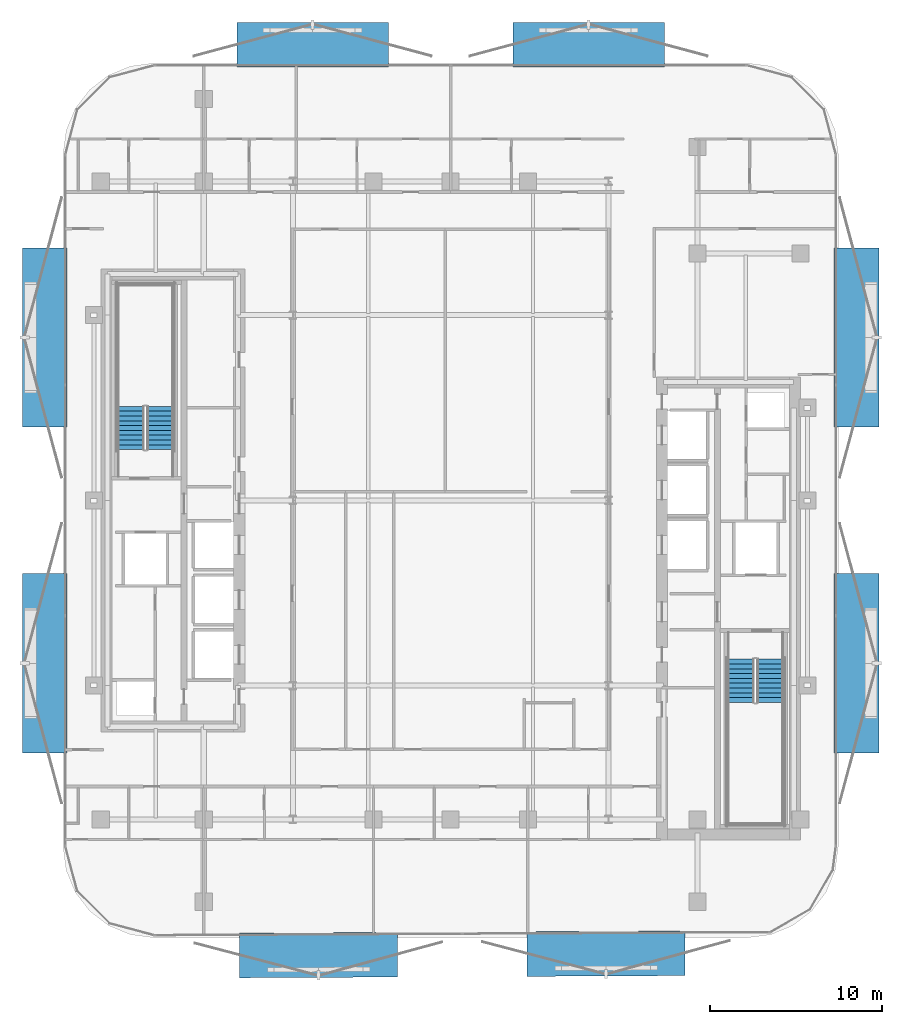
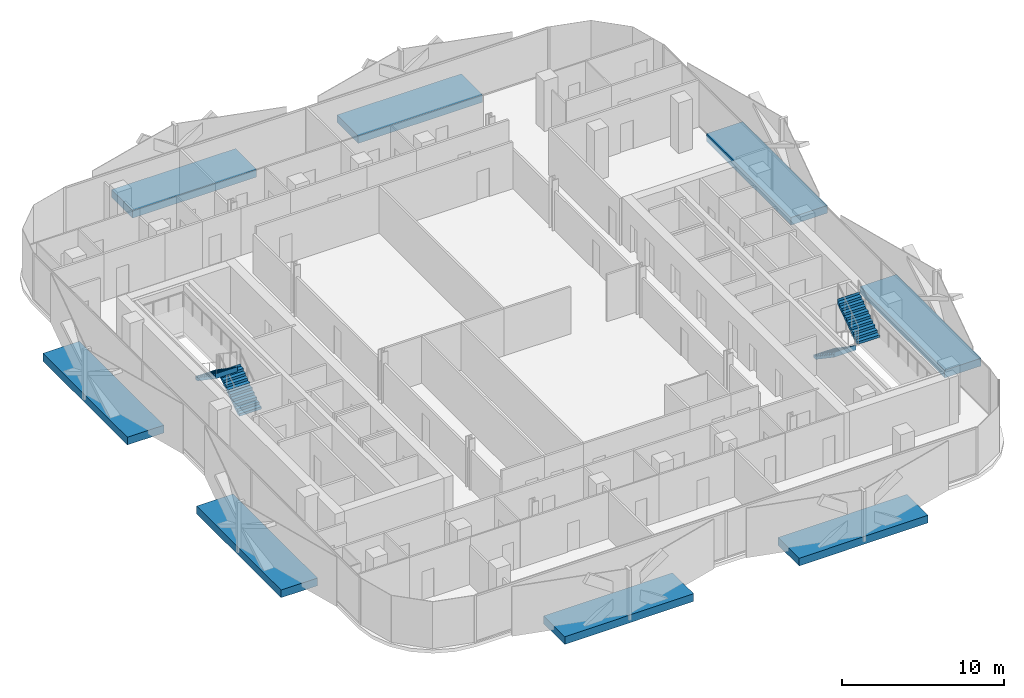
# One storey, part 8 of 17: 8 discrete accessories, 4 stair flights, 2 elements without a shape of their own.
"""IFC4 building model written with IfcOpenShell, lengths in metres."""

from ifc_helpers import new_model, si_unit, direction, frame, origin, origin_2d, place, context, subcontext, project, spatial, polyline, rectangle, outline, extrude, material, layer, layer_set, type_object, element, aggregate, save


model = new_model("IFC4")

# Units and contexts
model_context = context("Model", 3, precision=1e-05, world=origin(), true_north=direction((0.0, 1.0)))
body_context = subcontext(model_context, "Body", "Model", "MODEL_VIEW")
ifc_project = project(units=[si_unit("LENGTHUNIT", "METRE"), si_unit("AREAUNIT", "SQUARE_METRE"), si_unit("VOLUMEUNIT", "CUBIC_METRE"), si_unit("PLANEANGLEUNIT", "RADIAN"), si_unit("MASSUNIT", "GRAM", prefix="KILO")], contexts=[model_context])

# Site, building, storey
site_placement = place(None, origin())
site = spatial("IfcSite", under=ifc_project, at=site_placement, CompositionType="ELEMENT")
building_placement = place(site_placement, origin())
building = spatial("IfcBuilding", under=site, at=building_placement, Name="Khairoan Windgate Tower", CompositionType="ELEMENT")
storey_placement = place(building_placement, frame((0.0, 0.0, 176.39990234375)))
storey = spatial("IfcBuildingStorey", under=building, at=storey_placement, Name="L40", CompositionType="ELEMENT", Elevation=176.39990234375)

# Stair, stair flights
ifc_material_1 = material(Name="Concrete C40/50", Category="concrete")
stair_type = type_object("IfcStairType", Name="Tower Core Dog-Leg Stair ST-T1 1560mm", PredefinedType="HALF_TURN_STAIR", material=ifc_material_1)
stair_1_placement = place(storey_placement, origin())
stair_1 = element("IfcStair", 1, at=stair_1_placement, inside=storey, type_object=stair_type, Name="L40 Stair ST1", PredefinedType="HALF_TURN_STAIR")
ifc_material_2 = material(Name="Concrete C40/50", Category="concrete")
ifc_layer = layer(ifc_material_2, 0.14990234375, Name="Concrete C40/50")
ifc_layer_set = layer_set([ifc_layer], Name="Concrete C40/50")
stair_flight_type = type_object("IfcStairFlightType", Name="Tower Core Stair Flight STF-1560", PredefinedType="STRAIGHT", material=ifc_layer_set)
stair_flight_1_placement = place(storey_placement, frame((16.929931640625, -9.260009765625, 0.0), z_axis=(0.0, 0.0, 1.0), x_axis=(0.0, -1.0, 0.0)))
stair_flight_1 = element("IfcStairFlight", 2, at=stair_flight_1_placement, type_object=stair_flight_type, Name="ST1 flight 1", NumberOfRisers=10, NumberOfTreads=9, PredefinedType="STRAIGHT", RiserHeight=0.19, TreadLength=0.28, context=body_context, shape_type="SweptSolid", body=[
    extrude(outline(polyline([(-0.00390625, 0.0), (-0.00390625, 0.18994140625), (0.0, 0.18994140625), (0.280029296875, 0.18994140625), (0.280029296875, 0.3798828125), (0.56005859375, 0.3798828125), (0.56005859375, 0.570068359375), (0.840087890625, 0.570068359375), (0.840087890625, 0.760009765625), (1.1201171875, 0.760009765625), (1.1201171875, 0.949951171875), (1.39990234375, 0.949951171875), (1.39990234375, 1.139892578125), (1.679931640625, 1.139892578125), (1.679931640625, 1.330078125), (1.9599609375, 1.330078125), (1.9599609375, 1.52001953125), (2.239990234375, 1.52001953125), (2.239990234375, 1.7099609375), (2.52001953125, 1.7099609375), (2.52001953125, 1.89990234375), (2.52392578125, 1.89990234375), (2.52392578125, 1.52880859375), (0.266845703125, 0.0), (-0.00390625, 0.0)])), frame((0.0, 0.780029296875, 0.0), z_axis=(0.0, -1.0, 0.0), x_axis=(1.0, 0.0, 0.0)), (0.0, 0.0, 1.0), 1.56005859375),
])
stair_flight_2_placement = place(storey_placement, frame((18.639892578125, -11.780029296875, 1.900146484375), z_axis=(0.0, 0.0, 1.0), x_axis=(0.0, 1.0, 0.0)))
stair_flight_2 = element("IfcStairFlight", 3, at=stair_flight_2_placement, type_object=stair_flight_type, Name="ST1 flight 2", NumberOfRisers=10, NumberOfTreads=9, PredefinedType="STRAIGHT", RiserHeight=0.19, TreadLength=0.28, context=body_context, shape_type="SweptSolid", body=[
    extrude(outline(polyline([(-0.00390625, 0.0), (-0.00390625, 0.18994140625), (0.0, 0.18994140625), (0.280029296875, 0.18994140625), (0.280029296875, 0.3798828125), (0.56005859375, 0.3798828125), (0.56005859375, 0.570068359375), (0.840087890625, 0.570068359375), (0.840087890625, 0.760009765625), (1.1201171875, 0.760009765625), (1.1201171875, 0.949951171875), (1.39990234375, 0.949951171875), (1.39990234375, 1.139892578125), (1.679931640625, 1.139892578125), (1.679931640625, 1.330078125), (1.9599609375, 1.330078125), (1.9599609375, 1.52001953125), (2.239990234375, 1.52001953125), (2.239990234375, 1.7099609375), (2.52001953125, 1.7099609375), (2.52001953125, 1.89990234375), (2.52392578125, 1.89990234375), (2.52392578125, 1.52880859375), (0.266845703125, 0.0), (-0.00390625, 0.0)])), frame((0.0, 0.780029296875, 0.0), z_axis=(0.0, -1.0, 0.0), x_axis=(1.0, 0.0, 0.0)), (0.0, 0.0, 1.0), 1.56005859375),
])
aggregate(stair_1, [stair_flight_1, stair_flight_2])

stair_2_placement = place(storey_placement, origin())
stair_2 = element("IfcStair", 4, at=stair_2_placement, inside=storey, type_object=stair_type, Name="L40 Stair ST2", PredefinedType="HALF_TURN_STAIR")
stair_flight_3_placement = place(storey_placement, frame((-16.929931640625, 2.9599609375, 0.0), z_axis=(0.0, 0.0, 1.0), x_axis=(0.0, 1.0, 0.0)))
stair_flight_3 = element("IfcStairFlight", 5, at=stair_flight_3_placement, type_object=stair_flight_type, Name="ST2 flight 1", NumberOfRisers=10, NumberOfTreads=9, PredefinedType="STRAIGHT", RiserHeight=0.19, TreadLength=0.28, context=body_context, shape_type="SweptSolid", body=[
    extrude(outline(polyline([(-0.00390625, 0.0), (-0.00390625, 0.18994140625), (0.0, 0.18994140625), (0.280029296875, 0.18994140625), (0.280029296875, 0.3798828125), (0.56005859375, 0.3798828125), (0.56005859375, 0.570068359375), (0.840087890625, 0.570068359375), (0.840087890625, 0.760009765625), (1.1201171875, 0.760009765625), (1.1201171875, 0.949951171875), (1.39990234375, 0.949951171875), (1.39990234375, 1.139892578125), (1.679931640625, 1.139892578125), (1.679931640625, 1.330078125), (1.9599609375, 1.330078125), (1.9599609375, 1.52001953125), (2.239990234375, 1.52001953125), (2.239990234375, 1.7099609375), (2.52001953125, 1.7099609375), (2.52001953125, 1.89990234375), (2.52392578125, 1.89990234375), (2.52392578125, 1.52880859375), (0.266845703125, 0.0), (-0.00390625, 0.0)])), frame((0.0, 0.780029296875, 0.0), z_axis=(0.0, -1.0, 0.0), x_axis=(1.0, 0.0, 0.0)), (0.0, 0.0, 1.0), 1.56005859375),
])
stair_flight_4_placement = place(storey_placement, frame((-18.639892578125, 5.47998046875, 1.900146484375), z_axis=(0.0, 0.0, 1.0), x_axis=(0.0, -1.0, 0.0)))
stair_flight_4 = element("IfcStairFlight", 6, at=stair_flight_4_placement, type_object=stair_flight_type, Name="ST2 flight 2", NumberOfRisers=10, NumberOfTreads=9, PredefinedType="STRAIGHT", RiserHeight=0.19, TreadLength=0.28, context=body_context, shape_type="SweptSolid", body=[
    extrude(outline(polyline([(-0.00390625, 0.0), (-0.00390625, 0.18994140625), (0.0, 0.18994140625), (0.280029296875, 0.18994140625), (0.280029296875, 0.3798828125), (0.56005859375, 0.3798828125), (0.56005859375, 0.570068359375), (0.840087890625, 0.570068359375), (0.840087890625, 0.760009765625), (1.1201171875, 0.760009765625), (1.1201171875, 0.949951171875), (1.39990234375, 0.949951171875), (1.39990234375, 1.139892578125), (1.679931640625, 1.139892578125), (1.679931640625, 1.330078125), (1.9599609375, 1.330078125), (1.9599609375, 1.52001953125), (2.239990234375, 1.52001953125), (2.239990234375, 1.7099609375), (2.52001953125, 1.7099609375), (2.52001953125, 1.89990234375), (2.52392578125, 1.89990234375), (2.52392578125, 1.52880859375), (0.266845703125, 0.0), (-0.00390625, 0.0)])), frame((0.0, 0.780029296875, 0.0), z_axis=(0.0, -1.0, 0.0), x_axis=(1.0, 0.0, 0.0)), (0.0, 0.0, 1.0), 1.56005859375),
])
aggregate(stair_2, [stair_flight_3, stair_flight_4])

# Discrete accessories
ifc_material_3 = material(Name="Steel S355", Category="steel")
discrete_accessory_type = type_object("IfcDiscreteAccessoryType", Name="Solar Screen Outrigger Slab Bracket SSB-1", PredefinedType="BRACKET", material=ifc_material_3)
for number, where, z_axis, x_axis, name in (
    (7, (9.0595703125, -26.43017578125, -0.419921875), (0.0, 0.0, 1.0), (-0.999988059021, -0.004886902454, 0.0), "L40 Solar Screen Outrigger Bracket 257"),
    (8, (-7.703369140625, -26.5126953125, -0.419921875), (0.0, 0.0, 1.0), (-0.999988059021, -0.004886902454, 0.0), "L40 Solar Screen Outrigger Bracket 258"),
):
    element("IfcDiscreteAccessory", number, at=place(storey_placement, frame(where, z_axis=z_axis, x_axis=x_axis)), inside=storey, type_object=discrete_accessory_type, Name=name, PredefinedType="BRACKET", context=body_context, shape_type="SweptSolid", body=[
        extrude(rectangle(XDim=9.219970703125, YDim=2.60009765625, at=origin_2d()), origin(), (0.0, 0.0, 1.0), 0.580078125),
    ])
for number, where, z_axis, x_axis, name in (
    (9, (-23.659912109375, -9.495361328125, -0.419921875), (0.0, 0.0, 1.0), (0.0, 1.0, 0.0), "L40 Solar Screen Outrigger Bracket 259"),
    (10, (-23.659912109375, 9.495361328125, -0.419921875), (0.0, 0.0, 1.0), (0.0, 1.0, 0.0), "L40 Solar Screen Outrigger Bracket 260"),
):
    element("IfcDiscreteAccessory", number, at=place(storey_placement, frame(where, z_axis=z_axis, x_axis=x_axis)), inside=storey, type_object=discrete_accessory_type, Name=name, PredefinedType="BRACKET", context=body_context, shape_type="SweptSolid", body=[
        extrude(rectangle(XDim=10.445068359375, YDim=2.60009765625, at=origin_2d()), origin(), (0.0, 0.0, 1.0), 0.580078125),
    ])
for number, where, z_axis, x_axis, name in (
    (11, (-8.04541015625, 26.56005859375, -0.419921875), (0.0, 0.0, 1.0), (1.0, 0.0, 0.0), "L40 Solar Screen Outrigger Bracket 261"),
    (12, (8.04541015625, 26.56005859375, -0.419921875), (0.0, 0.0, 1.0), (1.0, 0.0, 0.0), "L40 Solar Screen Outrigger Bracket 262"),
):
    element("IfcDiscreteAccessory", number, at=place(storey_placement, frame(where, z_axis=z_axis, x_axis=x_axis)), inside=storey, type_object=discrete_accessory_type, Name=name, PredefinedType="BRACKET", context=body_context, shape_type="SweptSolid", body=[
        extrude(rectangle(XDim=8.85009765625, YDim=2.60009765625, at=origin_2d()), origin(), (0.0, 0.0, 1.0), 0.580078125),
    ])
for number, where, z_axis, x_axis, name in (
    (13, (23.659912109375, 9.495361328125, -0.419921875), (0.0, 0.0, 1.0), (0.0, -1.0, 0.0), "L40 Solar Screen Outrigger Bracket 263"),
    (14, (23.659912109375, -9.495361328125, -0.419921875), (0.0, 0.0, 1.0), (0.0, -1.0, 0.0), "L40 Solar Screen Outrigger Bracket 264"),
):
    element("IfcDiscreteAccessory", number, at=place(storey_placement, frame(where, z_axis=z_axis, x_axis=x_axis)), inside=storey, type_object=discrete_accessory_type, Name=name, PredefinedType="BRACKET", context=body_context, shape_type="SweptSolid", body=[
        extrude(rectangle(XDim=10.445068359375, YDim=2.60009765625, at=origin_2d()), origin(), (0.0, 0.0, 1.0), 0.580078125),
    ])

save(model, "model.ifc")
